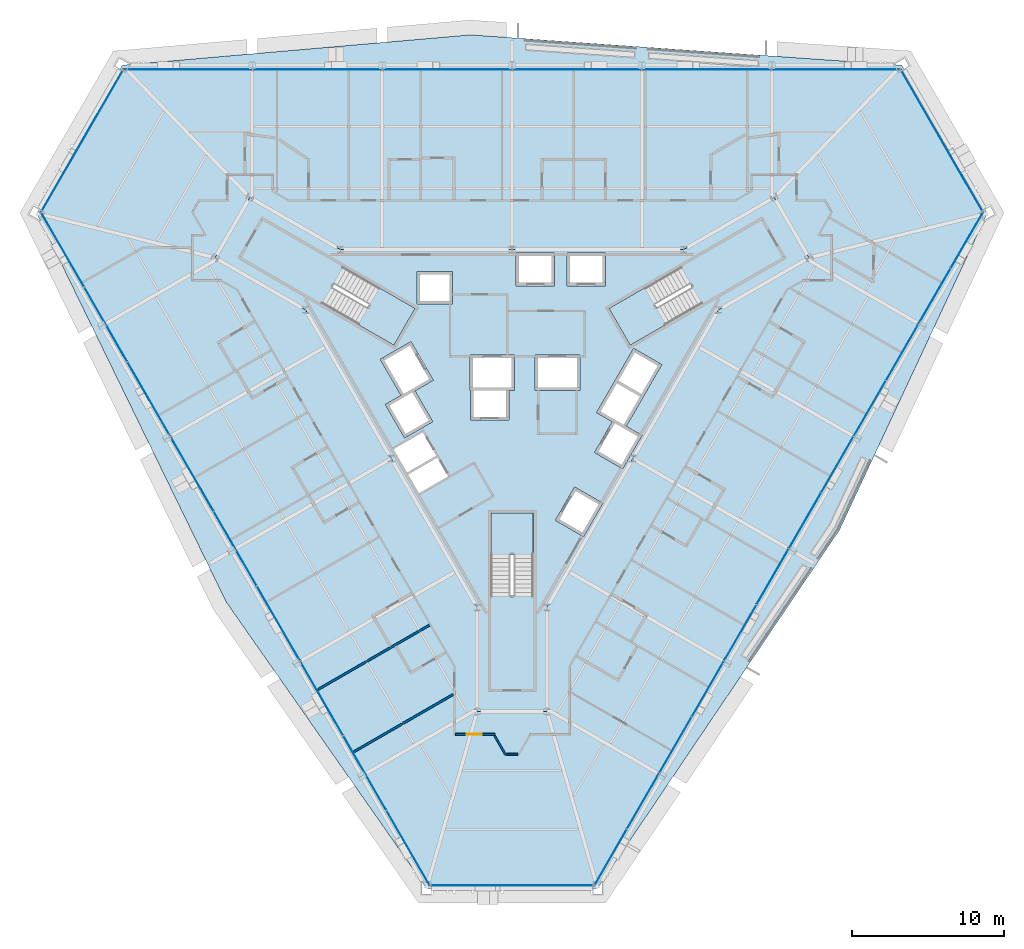
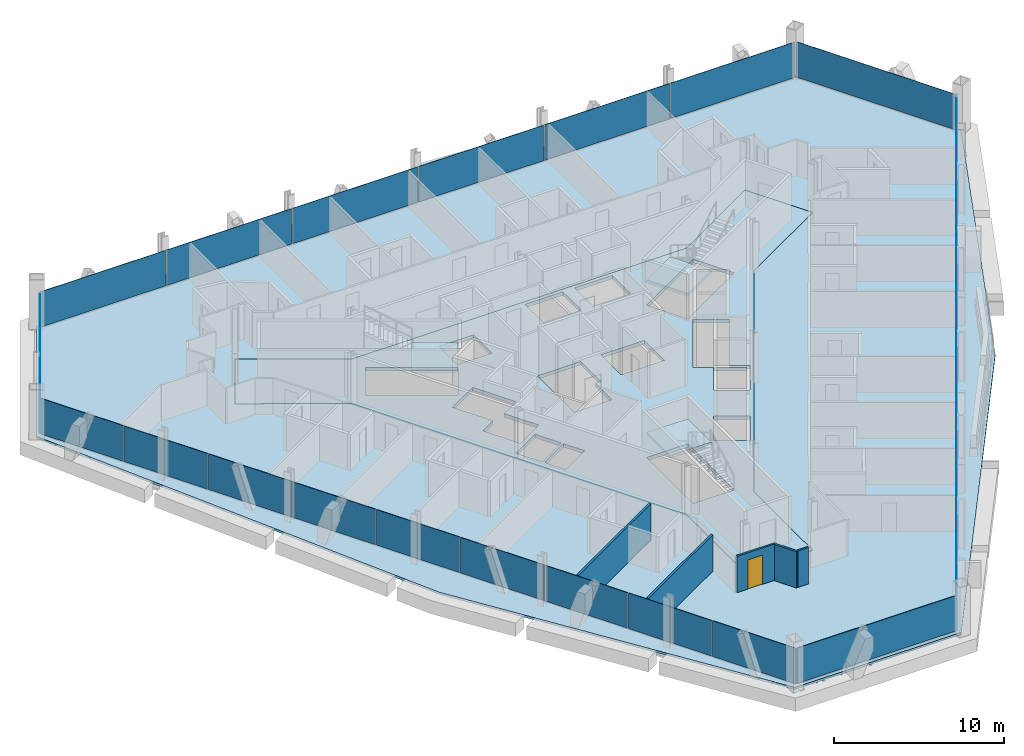
# One storey, part 12 of 20: 30 plates, 5 slabs, 5 walls, 1 door, 1 opening, 9 elements without a shape of their own.
"""IFC4 building model written with IfcOpenShell, lengths in metres."""

from ifc_helpers import new_model, si_unit, direction, frame, frame_2d, origin, origin_2d, place, context, subcontext, project, spatial, polyline, rectangle, outline, extrude, material, layer, layer_set, type_object, element, fill, aggregate, save


model = new_model("IFC4")

# Units and contexts
model_context = context("Model", 3, precision=1e-05, world=origin(), true_north=direction((0.0, 1.0)))
body_context = subcontext(model_context, "Body", "Model", "MODEL_VIEW")
ifc_project = project(units=[si_unit("LENGTHUNIT", "METRE"), si_unit("AREAUNIT", "SQUARE_METRE"), si_unit("VOLUMEUNIT", "CUBIC_METRE"), si_unit("PLANEANGLEUNIT", "RADIAN"), si_unit("MASSUNIT", "GRAM", prefix="KILO")], contexts=[model_context])

# Site, building, storey
site_placement = place(None, origin())
site = spatial("IfcSite", under=ifc_project, at=site_placement, CompositionType="ELEMENT")
building_placement = place(site_placement, origin())
building = spatial("IfcBuilding", under=site, at=building_placement, Name="Verrane Prism Tower", CompositionType="ELEMENT")
storey_placement = place(building_placement, frame((0.0, 0.0, 69.199951171875)))
storey = spatial("IfcBuildingStorey", under=building, at=storey_placement, Name="L15", CompositionType="ELEMENT", Elevation=69.199951171875)

# Slabs
ifc_material_1 = material(Name="Concrete C35/45", Category="concrete")
ifc_layer_1 = layer(ifc_material_1, 0.159912109375)
ifc_layer_set_1 = layer_set([ifc_layer_1], Name="Composite floor slab")
slab_type_1 = type_object("IfcSlabType", Name="Composite floor slab", PredefinedType="FLOOR", material=ifc_layer_set_1)
slab_1_placement = place(storey_placement, frame((0.0, 0.0, -0.159912109375)))
element("IfcSlab", 1, at=slab_1_placement, inside=storey, type_object=slab_type_1, Name="Floor slab L15", PredefinedType="FLOOR", context=body_context, shape_type="SweptSolid", body=[
    extrude(outline(polyline([(21.61083984375, -9.308837890625), (5.64599609375, -32.960693359375), (-5.64599609375, -32.960693359375), (-18.8671875, -14.06103515625), (-31.367919921875, 11.5908203125), (-25.721923828125, 21.3701171875), (-2.74365234375, 23.3701171875), (25.721923828125, 21.3701171875), (31.367919921875, 11.5908203125), (21.61083984375, -9.308837890625)]), holes=[polyline([(19.60009765625, 8.659912109375), (17.300048828125, 12.639892578125), (11.330078125, 9.199951171875), (0.0, 9.199951171875), (-11.330078125, 9.199951171875), (-17.300048828125, 12.639892578125), (-19.60009765625, 8.659912109375), (-13.6298828125, 5.219970703125), (-7.969970703125, -4.60009765625), (-2.300048828125, -14.419921875), (-2.300048828125, -21.300048828125), (2.300048828125, -21.300048828125), (2.300048828125, -14.419921875), (7.969970703125, -4.60009765625), (13.6298828125, 5.219970703125), (19.60009765625, 8.659912109375)])]), origin(), (0.0, 0.0, 1.0), 0.159912109375),
])
ifc_material_2 = material(Name="Concrete C40/50", Category="concrete")
ifc_layer_2 = layer(ifc_material_2, 0.25)
ifc_layer_set_2 = layer_set([ifc_layer_2], Name="Core floor slab 250 concrete C40/50")
slab_type_2 = type_object("IfcSlabType", Name="Core floor slab 250 concrete C40/50", PredefinedType="FLOOR", material=ifc_layer_set_2)
slab_2_placement = place(storey_placement, frame((0.0, 0.0, -0.25)))
element("IfcSlab", 2, at=slab_2_placement, inside=storey, type_object=slab_type_2, Name="Core floor L15", PredefinedType="FLOOR", context=body_context, shape_type="SweptSolid", body=[
    extrude(outline(polyline([(13.6298828125, 5.219970703125), (19.60009765625, 8.659912109375), (17.300048828125, 12.639892578125), (11.330078125, 9.199951171875), (0.0, 9.199951171875), (-11.330078125, 9.199951171875), (-17.300048828125, 12.639892578125), (-19.60009765625, 8.659912109375), (-13.6298828125, 5.219970703125), (-7.969970703125, -4.60009765625), (-2.300048828125, -14.419921875), (-2.300048828125, -21.300048828125), (2.300048828125, -21.300048828125), (2.300048828125, -14.419921875), (7.969970703125, -4.60009765625), (13.6298828125, 5.219970703125)]), holes=[polyline([(1.39990234375, -8.199951171875), (1.39990234375, -13.639892578125), (-1.39990234375, -13.639892578125), (-1.39990234375, -8.199951171875), (1.39990234375, -8.199951171875)]), polyline([(-4.215087890625, -5.77099609375), (-6.14208984375, -6.883056640625), (-6.85400390625, -5.64599609375), (-4.928955078125, -4.533935546875), (-4.215087890625, -5.77099609375)]), polyline([(-5.0029296875, -4.404052734375), (-6.929931640625, -5.51708984375), (-7.819091796875, -3.97705078125), (-5.89306640625, -2.864013671875), (-5.0029296875, -4.404052734375)]), polyline([(0.1650390625, 2.25), (0.1650390625, -0.10009765625), (-0.205078125, -0.10009765625), (-0.205078125, -2.050048828125), (-2.7548828125, -2.050048828125), (-2.7548828125, -0.10009765625), (-2.784912109375, -0.10009765625), (-2.784912109375, 2.25), (0.1650390625, 2.25)]), polyline([(-12.512939453125, 5.60791015625), (-11.113037109375, 8.031982421875), (-6.40087890625, 5.31201171875), (-7.801025390625, 2.887939453125), (-12.512939453125, 5.60791015625)]), polyline([(-6.284912109375, 5.610107421875), (-6.284912109375, 7.760009765625), (-3.93505859375, 7.760009765625), (-3.93505859375, 5.610107421875), (-6.284912109375, 5.610107421875)]), polyline([(4.717041015625, -9.75), (2.85498046875, -8.675048828125), (4.1298828125, -6.466064453125), (5.991943359375, -7.541015625), (4.717041015625, -9.75)]), polyline([(8.303955078125, -3.136962890625), (5.575927734375, -1.56201171875), (8.02587890625, 2.680908203125), (9.887939453125, 1.60595703125), (7.5380859375, -2.464111328125), (8.576904296875, -3.06396484375), (7.302001953125, -5.27197265625), (5.43994140625, -4.197021484375), (6.614990234375, -2.162109375), (8.303955078125, -3.136962890625)]), polyline([(1.52490234375, -0.10009765625), (1.52490234375, 2.25), (4.47509765625, 2.25), (4.47509765625, -0.10009765625), (1.52490234375, -0.10009765625)]), polyline([(6.40087890625, 5.31201171875), (11.113037109375, 8.031982421875), (12.512939453125, 5.60791015625), (7.801025390625, 2.887939453125), (6.40087890625, 5.31201171875)]), polyline([(0.264892578125, 6.81005859375), (0.264892578125, 8.9599609375), (2.81494140625, 8.9599609375), (2.81494140625, 6.81005859375), (0.264892578125, 6.81005859375)]), polyline([(3.625, 6.81005859375), (3.625, 8.9599609375), (6.175048828125, 8.9599609375), (6.175048828125, 6.81005859375), (3.625, 6.81005859375)]), polyline([(-5.23095703125, -2.159912109375), (-7.093017578125, -3.235107421875), (-8.367919921875, -1.02587890625), (-7.3291015625, -0.426025390625), (-8.7041015625, 1.955078125), (-6.66796875, 3.1298828125), (-5.193115234375, 0.574951171875), (-6.406005859375, -0.125), (-5.23095703125, -2.159912109375)])]), origin(), (0.0, 0.0, 1.0), 0.25),
])

# Curtain wall, plates
ifc_material_3 = material(Name="Aluminium framed insulated glazing", Category="aluminium")
curtain_wall_type_1 = type_object("IfcCurtainWallType", Name="Curtain wall CW-C 4200 module", PredefinedType="NOTDEFINED", material=ifc_material_3)
curtain_wall_1_placement = place(storey_placement, origin())
curtain_wall_1 = element("IfcCurtainWall", 3, at=curtain_wall_1_placement, inside=storey, type_object=curtain_wall_type_1, Name="Glazed curtain wall south-east face L15", PredefinedType="NOTDEFINED")
ifc_material_4 = material(Name="Low-iron insulating glass unit", Category="glass")
ifc_layer_3 = layer(ifc_material_4, 0.02392578125)
ifc_layer_set_3 = layer_set([ifc_layer_3], Name="Glazing panel IGU 24")
plate_type_1 = type_object("IfcPlateType", Name="Glazing panel IGU 24", PredefinedType="CURTAIN_PANEL", material=ifc_layer_set_3)
plate_1_placement = place(storey_placement, frame((6.515869140625, -30.896240234375, 0.050048828125), z_axis=(0.0, 0.0, 1.0), x_axis=(0.50000020895, 0.866025283147, 0.0)))
plate_1 = element("IfcPlate", 4, at=plate_1_placement, type_object=plate_type_1, Name="CW14.6 panel 1", PredefinedType="CURTAIN_PANEL", context=body_context, shape_type="SweptSolid", body=[
    extrude(rectangle(XDim=4.19970703125, YDim=0.02392578125, at=origin_2d()), origin(), (0.0, 0.0, 1.0), 2.56298828125),
])
plate_2_placement = place(storey_placement, frame((8.64697265625, -27.204833984375, 0.050048828125), z_axis=(0.0, 0.0, 1.0), x_axis=(0.50000020895, 0.866025283147, 0.0)))
plate_2 = element("IfcPlate", 5, at=plate_2_placement, type_object=plate_type_1, Name="CW14.6 panel 2", PredefinedType="CURTAIN_PANEL", context=body_context, shape_type="SweptSolid", body=[
    extrude(rectangle(XDim=4.224853515625, YDim=0.02392578125, at=origin_2d()), origin(), (0.0, 0.0, 1.0), 2.56298828125),
])
plate_3_placement = place(storey_placement, frame((10.784423828125, -23.502685546875, 0.050048828125), z_axis=(0.0, 0.0, 1.0), x_axis=(0.50000020895, 0.866025283147, 0.0)))
plate_3 = element("IfcPlate", 6, at=plate_3_placement, type_object=plate_type_1, Name="CW14.6 panel 3", PredefinedType="CURTAIN_PANEL", context=body_context, shape_type="SweptSolid", body=[
    extrude(rectangle(XDim=4.224853515625, YDim=0.02392578125, at=origin_2d()), origin(), (0.0, 0.0, 1.0), 2.56298828125),
])
plate_4_placement = place(storey_placement, frame((12.921875, -19.80078125, 0.050048828125), z_axis=(0.0, 0.0, 1.0), x_axis=(0.50000020895, 0.866025283147, 0.0)))
plate_4 = element("IfcPlate", 7, at=plate_4_placement, type_object=plate_type_1, Name="CW14.6 panel 4", PredefinedType="CURTAIN_PANEL", context=body_context, shape_type="SweptSolid", body=[
    extrude(rectangle(XDim=4.224853515625, YDim=0.02392578125, at=origin_2d()), origin(), (0.0, 0.0, 1.0), 2.56298828125),
])
plate_5_placement = place(storey_placement, frame((15.05908203125, -16.0986328125, 0.050048828125), z_axis=(0.0, 0.0, 1.0), x_axis=(0.50000020895, 0.866025283147, 0.0)))
plate_5 = element("IfcPlate", 8, at=plate_5_placement, type_object=plate_type_1, Name="CW14.6 panel 5", PredefinedType="CURTAIN_PANEL", context=body_context, shape_type="SweptSolid", body=[
    extrude(rectangle(XDim=4.224853515625, YDim=0.02392578125, at=origin_2d()), origin(), (0.0, 0.0, 1.0), 2.56298828125),
])
plate_6_placement = place(storey_placement, frame((17.196533203125, -12.396484375, 0.050048828125), z_axis=(0.0, 0.0, 1.0), x_axis=(0.50000020895, 0.866025283147, 0.0)))
plate_6 = element("IfcPlate", 9, at=plate_6_placement, type_object=plate_type_1, Name="CW14.6 panel 6", PredefinedType="CURTAIN_PANEL", context=body_context, shape_type="SweptSolid", body=[
    extrude(rectangle(XDim=4.224853515625, YDim=0.02392578125, at=origin_2d()), origin(), (0.0, 0.0, 1.0), 2.56298828125),
])
plate_7_placement = place(storey_placement, frame((19.333984375, -8.694580078125, 0.050048828125), z_axis=(0.0, 0.0, 1.0), x_axis=(0.50000020895, 0.866025283147, 0.0)))
plate_7 = element("IfcPlate", 10, at=plate_7_placement, type_object=plate_type_1, Name="CW14.6 panel 7", PredefinedType="CURTAIN_PANEL", context=body_context, shape_type="SweptSolid", body=[
    extrude(rectangle(XDim=4.224853515625, YDim=0.02392578125, at=origin_2d()), origin(), (0.0, 0.0, 1.0), 2.56298828125),
])
plate_8_placement = place(storey_placement, frame((21.471435546875, -4.992431640625, 0.050048828125), z_axis=(0.0, 0.0, 1.0), x_axis=(0.50000020895, 0.866025283147, 0.0)))
plate_8 = element("IfcPlate", 11, at=plate_8_placement, type_object=plate_type_1, Name="CW14.6 panel 8", PredefinedType="CURTAIN_PANEL", context=body_context, shape_type="SweptSolid", body=[
    extrude(rectangle(XDim=4.224853515625, YDim=0.02392578125, at=origin_2d()), origin(), (0.0, 0.0, 1.0), 2.56298828125),
])
plate_9_placement = place(storey_placement, frame((23.60888671875, -1.290283203125, 0.050048828125), z_axis=(0.0, 0.0, 1.0), x_axis=(0.50000020895, 0.866025283147, 0.0)))
plate_9 = element("IfcPlate", 12, at=plate_9_placement, type_object=plate_type_1, Name="CW14.6 panel 9", PredefinedType="CURTAIN_PANEL", context=body_context, shape_type="SweptSolid", body=[
    extrude(rectangle(XDim=4.224853515625, YDim=0.02392578125, at=origin_2d()), origin(), (0.0, 0.0, 1.0), 2.56298828125),
])
plate_10_placement = place(storey_placement, frame((25.74609375, 2.411865234375, 0.050048828125), z_axis=(0.0, 0.0, 1.0), x_axis=(0.50000020895, 0.866025283147, 0.0)))
plate_10 = element("IfcPlate", 13, at=plate_10_placement, type_object=plate_type_1, Name="CW14.6 panel 10", PredefinedType="CURTAIN_PANEL", context=body_context, shape_type="SweptSolid", body=[
    extrude(rectangle(XDim=4.224853515625, YDim=0.02392578125, at=origin_2d()), origin(), (0.0, 0.0, 1.0), 2.56298828125),
])
plate_11_placement = place(storey_placement, frame((27.883544921875, 6.11376953125, 0.050048828125), z_axis=(0.0, 0.0, 1.0), x_axis=(0.50000020895, 0.866025283147, 0.0)))
plate_11 = element("IfcPlate", 14, at=plate_11_placement, type_object=plate_type_1, Name="CW14.6 panel 11", PredefinedType="CURTAIN_PANEL", context=body_context, shape_type="SweptSolid", body=[
    extrude(rectangle(XDim=4.224853515625, YDim=0.02392578125, at=origin_2d()), origin(), (0.0, 0.0, 1.0), 2.56298828125),
])
plate_12_placement = place(storey_placement, frame((30.02734375, 9.826904296875, 0.050048828125), z_axis=(0.0, 0.0, 1.0), x_axis=(0.50000020895, 0.866025283147, 0.0)))
plate_12 = element("IfcPlate", 15, at=plate_12_placement, type_object=plate_type_1, Name="CW14.6 panel 12", PredefinedType="CURTAIN_PANEL", context=body_context, shape_type="SweptSolid", body=[
    extrude(rectangle(XDim=4.249755859375, YDim=0.02392578125, at=origin_2d()), origin(), (0.0, 0.0, 1.0), 2.56298828125),
])
aggregate(curtain_wall_1, [plate_1, plate_2, plate_3, plate_4, plate_5, plate_6, plate_7, plate_8, plate_9, plate_10, plate_11, plate_12])

ifc_material_5 = material(Name="Aluminium framed insulated glazing", Category="aluminium")
curtain_wall_type_2 = type_object("IfcCurtainWallType", Name="Curtain wall CW-B 5600 module", PredefinedType="NOTDEFINED", material=ifc_material_5)
curtain_wall_2_placement = place(storey_placement, origin())
curtain_wall_2 = element("IfcCurtainWall", 16, at=curtain_wall_2_placement, inside=storey, type_object=curtain_wall_type_2, Name="Glazed curtain wall south-west face L15", PredefinedType="NOTDEFINED")
ifc_material_6 = material(Name="Low-iron insulating glass unit", Category="glass")
ifc_layer_4 = layer(ifc_material_6, 0.028076171875)
ifc_layer_set_4 = layer_set([ifc_layer_4], Name="Glazing panel IGU 28")
plate_type_2 = type_object("IfcPlateType", Name="Glazing panel IGU 28", PredefinedType="CURTAIN_PANEL", material=ifc_layer_set_4)
plate_13_placement = place(storey_placement, frame((-29.6572265625, 9.18603515625, 0.06005859375), z_axis=(0.0, 0.0, 1.0), x_axis=(0.50000020895, -0.866025283147, 0.0)))
plate_13 = element("IfcPlate", 17, at=plate_13_placement, type_object=plate_type_2, Name="CW14.4 panel 1", PredefinedType="CURTAIN_PANEL", context=body_context, shape_type="SweptSolid", body=[
    extrude(rectangle(XDim=5.609619140625, YDim=0.028076171875, at=origin_2d()), origin(), (0.0, 0.0, 1.0), 2.552978515625),
])
plate_14_placement = place(storey_placement, frame((-26.81494140625, 4.262939453125, 0.06005859375), z_axis=(0.0, 0.0, 1.0), x_axis=(0.50000020895, -0.866025283147, 0.0)))
plate_14 = element("IfcPlate", 18, at=plate_14_placement, type_object=plate_type_2, Name="CW14.4 panel 2", PredefinedType="CURTAIN_PANEL", context=body_context, shape_type="SweptSolid", body=[
    extrude(rectangle(XDim=5.6396484375, YDim=0.028076171875, at=origin_2d()), origin(), (0.0, 0.0, 1.0), 2.552978515625),
])
plate_15_placement = place(storey_placement, frame((-23.965087890625, -0.67333984375, 0.06005859375), z_axis=(0.0, 0.0, 1.0), x_axis=(0.50000020895, -0.866025283147, 0.0)))
plate_15 = element("IfcPlate", 19, at=plate_15_placement, type_object=plate_type_2, Name="CW14.4 panel 3", PredefinedType="CURTAIN_PANEL", context=body_context, shape_type="SweptSolid", body=[
    extrude(rectangle(XDim=5.6396484375, YDim=0.028076171875, at=origin_2d()), origin(), (0.0, 0.0, 1.0), 2.552978515625),
])
plate_16_placement = place(storey_placement, frame((-21.115234375, -5.609375, 0.06005859375), z_axis=(0.0, 0.0, 1.0), x_axis=(0.50000020895, -0.866025283147, 0.0)))
plate_16 = element("IfcPlate", 20, at=plate_16_placement, type_object=plate_type_2, Name="CW14.4 panel 4", PredefinedType="CURTAIN_PANEL", context=body_context, shape_type="SweptSolid", body=[
    extrude(rectangle(XDim=5.6396484375, YDim=0.028076171875, at=origin_2d()), origin(), (0.0, 0.0, 1.0), 2.552978515625),
])
plate_17_placement = place(storey_placement, frame((-18.265380859375, -10.54541015625, 0.06005859375), z_axis=(0.0, 0.0, 1.0), x_axis=(0.50000020895, -0.866025283147, 0.0)))
plate_17 = element("IfcPlate", 21, at=plate_17_placement, type_object=plate_type_2, Name="CW14.4 panel 5", PredefinedType="CURTAIN_PANEL", context=body_context, shape_type="SweptSolid", body=[
    extrude(rectangle(XDim=5.6396484375, YDim=0.028076171875, at=origin_2d()), origin(), (0.0, 0.0, 1.0), 2.552978515625),
])
plate_18_placement = place(storey_placement, frame((-15.41552734375, -15.481689453125, 0.06005859375), z_axis=(0.0, 0.0, 1.0), x_axis=(0.50000020895, -0.866025283147, 0.0)))
plate_18 = element("IfcPlate", 22, at=plate_18_placement, type_object=plate_type_2, Name="CW14.4 panel 6", PredefinedType="CURTAIN_PANEL", context=body_context, shape_type="SweptSolid", body=[
    extrude(rectangle(XDim=5.6396484375, YDim=0.028076171875, at=origin_2d()), origin(), (0.0, 0.0, 1.0), 2.552978515625),
])
plate_19_placement = place(storey_placement, frame((-12.565673828125, -20.417724609375, 0.06005859375), z_axis=(0.0, 0.0, 1.0), x_axis=(0.50000020895, -0.866025283147, 0.0)))
plate_19 = element("IfcPlate", 23, at=plate_19_placement, type_object=plate_type_2, Name="CW14.4 panel 7", PredefinedType="CURTAIN_PANEL", context=body_context, shape_type="SweptSolid", body=[
    extrude(rectangle(XDim=5.6396484375, YDim=0.028076171875, at=origin_2d()), origin(), (0.0, 0.0, 1.0), 2.552978515625),
])
plate_20_placement = place(storey_placement, frame((-9.7158203125, -25.353759765625, 0.06005859375), z_axis=(0.0, 0.0, 1.0), x_axis=(0.50000020895, -0.866025283147, 0.0)))
plate_20 = element("IfcPlate", 24, at=plate_20_placement, type_object=plate_type_2, Name="CW14.4 panel 8", PredefinedType="CURTAIN_PANEL", context=body_context, shape_type="SweptSolid", body=[
    extrude(rectangle(XDim=5.6396484375, YDim=0.028076171875, at=origin_2d()), origin(), (0.0, 0.0, 1.0), 2.552978515625),
])
plate_21_placement = place(storey_placement, frame((-6.8583984375, -30.302978515625, 0.06005859375), z_axis=(0.0, 0.0, 1.0), x_axis=(0.50000020895, -0.866025283147, 0.0)))
plate_21 = element("IfcPlate", 25, at=plate_21_placement, type_object=plate_type_2, Name="CW14.4 panel 9", PredefinedType="CURTAIN_PANEL", context=body_context, shape_type="SweptSolid", body=[
    extrude(rectangle(XDim=5.669677734375, YDim=0.028076171875, at=origin_2d()), origin(), (0.0, 0.0, 1.0), 2.552978515625),
])
aggregate(curtain_wall_2, [plate_13, plate_14, plate_15, plate_16, plate_17, plate_18, plate_19, plate_20, plate_21])

# Curtain wall, plate
ifc_material_7 = material(Name="Aluminium framed insulated glazing", Category="aluminium")
curtain_wall_type_3 = type_object("IfcCurtainWallType", Name="Curtain wall CW-A 8400 module", PredefinedType="NOTDEFINED", material=ifc_material_7)
curtain_wall_3_placement = place(storey_placement, origin())
curtain_wall_3 = element("IfcCurtainWall", 26, at=curtain_wall_3_placement, inside=storey, type_object=curtain_wall_type_3, Name="Glazed curtain wall north-east corner L15", PredefinedType="NOTDEFINED")
ifc_material_8 = material(Name="Low-iron insulating glass unit", Category="glass")
ifc_layer_5 = layer(ifc_material_8, 0.031982421875)
ifc_layer_set_5 = layer_set([ifc_layer_5], Name="Glazing panel IGU 32")
plate_type_3 = type_object("IfcPlateType", Name="Glazing panel IGU 32", PredefinedType="CURTAIN_PANEL", material=ifc_layer_set_5)
plate_22_placement = place(storey_placement, frame((28.351806640625, 16.409423828125, 0.070068359375), z_axis=(0.0, 0.0, 1.0), x_axis=(-0.499996627176, 0.866027351077, 0.0)))
plate_22 = element("IfcPlate", 27, at=plate_22_placement, type_object=plate_type_3, Name="CW14.1 panel 1", PredefinedType="CURTAIN_PANEL", context=body_context, shape_type="SweptSolid", body=[
    extrude(rectangle(XDim=10.811767578125, YDim=0.031982421875, at=origin_2d()), origin(), (0.0, 0.0, 1.0), 2.54296875),
])
aggregate(curtain_wall_3, [plate_22])

# Curtain wall, plates
curtain_wall_4_placement = place(storey_placement, origin())
curtain_wall_4 = element("IfcCurtainWall", 28, at=curtain_wall_4_placement, inside=storey, type_object=curtain_wall_type_3, Name="Glazed curtain wall north face L15", PredefinedType="NOTDEFINED")
plate_23_placement = place(storey_placement, frame((21.3564453125, 21.091064453125, 0.070068359375), z_axis=(0.0, 0.0, 1.0), x_axis=(-1.0, 0.0, 0.0)))
plate_23 = element("IfcPlate", 29, at=plate_23_placement, type_object=plate_type_3, Name="CW14.2 panel 1", PredefinedType="CURTAIN_PANEL", context=body_context, shape_type="SweptSolid", body=[
    extrude(rectangle(XDim=8.444580078125, YDim=0.031982421875, at=origin_2d()), origin(), (0.0, 0.0, 1.0), 2.54296875),
])
plate_24_placement = place(storey_placement, frame((12.824462890625, 21.091064453125, 0.070068359375), z_axis=(0.0, 0.0, 1.0), x_axis=(-1.0, 0.0, 0.0)))
plate_24 = element("IfcPlate", 30, at=plate_24_placement, type_object=plate_type_3, Name="CW14.2 panel 2", PredefinedType="CURTAIN_PANEL", context=body_context, shape_type="SweptSolid", body=[
    extrude(rectangle(XDim=8.4794921875, YDim=0.031982421875, at=origin_2d()), origin(), (0.0, 0.0, 1.0), 2.54296875),
])
plate_25_placement = place(storey_placement, frame((4.27490234375, 21.091064453125, 0.070068359375), z_axis=(0.0, 0.0, 1.0), x_axis=(-1.0, 0.0, 0.0)))
plate_25 = element("IfcPlate", 31, at=plate_25_placement, type_object=plate_type_3, Name="CW14.2 panel 3", PredefinedType="CURTAIN_PANEL", context=body_context, shape_type="SweptSolid", body=[
    extrude(rectangle(XDim=8.4794921875, YDim=0.031982421875, at=origin_2d()), origin(), (0.0, 0.0, 1.0), 2.54296875),
])
plate_26_placement = place(storey_placement, frame((-4.27490234375, 21.091064453125, 0.070068359375), z_axis=(0.0, 0.0, 1.0), x_axis=(-1.0, 0.0, 0.0)))
plate_26 = element("IfcPlate", 32, at=plate_26_placement, type_object=plate_type_3, Name="CW14.2 panel 4", PredefinedType="CURTAIN_PANEL", context=body_context, shape_type="SweptSolid", body=[
    extrude(rectangle(XDim=8.4794921875, YDim=0.031982421875, at=origin_2d()), origin(), (0.0, 0.0, 1.0), 2.54296875),
])
plate_27_placement = place(storey_placement, frame((-12.824462890625, 21.091064453125, 0.070068359375), z_axis=(0.0, 0.0, 1.0), x_axis=(-1.0, 0.0, 0.0)))
plate_27 = element("IfcPlate", 33, at=plate_27_placement, type_object=plate_type_3, Name="CW14.2 panel 5", PredefinedType="CURTAIN_PANEL", context=body_context, shape_type="SweptSolid", body=[
    extrude(rectangle(XDim=8.4794921875, YDim=0.031982421875, at=origin_2d()), origin(), (0.0, 0.0, 1.0), 2.54296875),
])
plate_28_placement = place(storey_placement, frame((-21.3916015625, 21.091064453125, 0.070068359375), z_axis=(0.0, 0.0, 1.0), x_axis=(-1.0, 0.0, 0.0)))
plate_28 = element("IfcPlate", 34, at=plate_28_placement, type_object=plate_type_3, Name="CW14.2 panel 6", PredefinedType="CURTAIN_PANEL", context=body_context, shape_type="SweptSolid", body=[
    extrude(rectangle(XDim=8.5146484375, YDim=0.031982421875, at=origin_2d()), origin(), (0.0, 0.0, 1.0), 2.54296875),
])
aggregate(curtain_wall_4, [plate_23, plate_24, plate_25, plate_26, plate_27, plate_28])

# Curtain wall, plate
curtain_wall_5_placement = place(storey_placement, origin())
curtain_wall_5 = element("IfcCurtainWall", 35, at=curtain_wall_5_placement, inside=storey, type_object=curtain_wall_type_3, Name="Glazed curtain wall north-west corner L15", PredefinedType="NOTDEFINED")
plate_29_placement = place(storey_placement, frame((-28.38671875, 16.3486328125, 0.070068359375), z_axis=(0.0, 0.0, 1.0), x_axis=(-0.499996627176, -0.866027351077, 0.0)))
plate_29 = element("IfcPlate", 36, at=plate_29_placement, type_object=plate_type_3, Name="CW14.3 panel 1", PredefinedType="CURTAIN_PANEL", context=body_context, shape_type="SweptSolid", body=[
    extrude(rectangle(XDim=10.811767578125, YDim=0.031982421875, at=origin_2d()), origin(), (0.0, 0.0, 1.0), 2.54296875),
])
aggregate(curtain_wall_5, [plate_29])

curtain_wall_6_placement = place(storey_placement, origin())
curtain_wall_6 = element("IfcCurtainWall", 37, at=curtain_wall_6_placement, inside=storey, type_object=curtain_wall_type_3, Name="Glazed curtain wall south corner L15", PredefinedType="NOTDEFINED")
plate_30_placement = place(storey_placement, frame((0.034912109375, -32.758056640625, 0.070068359375), z_axis=(0.0, 0.0, 1.0), x_axis=(1.0, 0.0, 0.0)))
plate_30 = element("IfcPlate", 38, at=plate_30_placement, type_object=plate_type_3, Name="CW14.5 panel 1", PredefinedType="CURTAIN_PANEL", context=body_context, shape_type="SweptSolid", body=[
    extrude(rectangle(XDim=10.811767578125, YDim=0.031982421875, at=origin_2d()), origin(), (0.0, 0.0, 1.0), 2.54296875),
])
aggregate(curtain_wall_6, [plate_30])

# Stair, slab
ifc_material_9 = material(Name="Concrete C40/50", Category="concrete")
stair_type = type_object("IfcStairType", Name="Exit stair 1300 dog-leg precast concrete C40/50", PredefinedType="HALF_TURN_STAIR", material=ifc_material_9)
stair_1_placement = place(storey_placement, origin())
stair_1 = element("IfcStair", 39, at=stair_1_placement, inside=storey, type_object=stair_type, Name="Stair 1 L15", PredefinedType="HALF_TURN_STAIR")
ifc_material_10 = material(Name="Concrete C40/50", Category="concrete")
ifc_layer_6 = layer(ifc_material_10, 0.199951171875)
ifc_layer_set_6 = layer_set([ifc_layer_6], Name="Stair landing 200 precast concrete C40/50")
slab_type_3 = type_object("IfcSlabType", Name="Stair landing 200 precast concrete C40/50", PredefinedType="LANDING", material=ifc_layer_set_6)
slab_3_placement = place(storey_placement, frame((0.0, 0.0, 1.60009765625)))
slab_3 = element("IfcSlab", 40, at=slab_3_placement, type_object=slab_type_3, Name="Stair 1 landing 1", PredefinedType="LANDING", context=body_context, shape_type="SweptSolid", body=[
    extrude(outline(polyline([(8.791748046875, 6.6923828125), (6.4013671875, 5.3125), (7.801513671875, 2.887451171875), (10.191650390625, 4.267578125), (8.791748046875, 6.6923828125)])), origin(), (0.0, 0.0, 1.0), 0.199951171875),
])
aggregate(stair_1, [slab_3])

stair_2_placement = place(storey_placement, origin())
stair_2 = element("IfcStair", 41, at=stair_2_placement, inside=storey, type_object=stair_type, Name="Stair 2 L15", PredefinedType="HALF_TURN_STAIR")
slab_4_placement = place(storey_placement, frame((0.0, 0.0, 1.60009765625)))
slab_4 = element("IfcSlab", 42, at=slab_4_placement, type_object=slab_type_3, Name="Stair 2 landing 1", PredefinedType="LANDING", context=body_context, shape_type="SweptSolid", body=[
    extrude(outline(polyline([(-10.191650390625, 4.267578125), (-7.801513671875, 2.887451171875), (-6.4013671875, 5.3125), (-8.791748046875, 6.6923828125), (-10.191650390625, 4.267578125)])), origin(), (0.0, 0.0, 1.0), 0.199951171875),
])
aggregate(stair_2, [slab_4])

stair_3_placement = place(storey_placement, origin())
stair_3 = element("IfcStair", 43, at=stair_3_placement, inside=storey, type_object=stair_type, Name="Stair 3 L15", PredefinedType="HALF_TURN_STAIR")
slab_5_placement = place(storey_placement, frame((0.0, 0.0, 1.60009765625)))
slab_5 = element("IfcSlab", 44, at=slab_5_placement, type_object=slab_type_3, Name="Stair 3 landing 1", PredefinedType="LANDING", context=body_context, shape_type="SweptSolid", body=[
    extrude(outline(polyline([(1.39990234375, -10.9599609375), (1.39990234375, -8.199951171875), (-1.39990234375, -8.199951171875), (-1.39990234375, -10.9599609375), (1.39990234375, -10.9599609375)])), origin(), (0.0, 0.0, 1.0), 0.199951171875),
])
aggregate(stair_3, [slab_5])

# Wall, opening, door
ifc_material_11 = material(Name="Gypsum board partition", Category="other")
ifc_layer_7 = layer(ifc_material_11, 0.125)
ifc_layer_set_7 = layer_set([ifc_layer_7], Name="PW-125 corridor wall 1 h")
wall_type_1 = type_object("IfcWallType", Name="PW-125 corridor wall 1 h", PredefinedType="PARTITIONING", material=ifc_layer_set_7)
wall_1_placement = place(storey_placement, frame((-1.140380859375, -22.797119140625, 0.0), z_axis=(0.0, 0.0, 1.0), x_axis=(-1.0, 0.0, 0.0)))
wall_1 = element("IfcWall", 45, at=wall_1_placement, inside=storey, type_object=wall_type_1, Name="Corridor wall 046", PredefinedType="PARTITIONING", context=body_context, shape_type="SweptSolid", body=[
    extrude(rectangle(XDim=2.591552734375, YDim=0.125, at=frame_2d((1.2958984375, 0.0))), origin(), (0.0, 0.0, 1.0), 2.613037109375),
])
opening_placement = place(wall_1_placement, frame((0.8564453125, 0.0, 0.0)))
opening = element("IfcOpeningElement", 46, at=opening_placement, cuts=wall_1, Name="Opening D14001", PredefinedType="OPENING", context=body_context, shape_type="SweptSolid", body=[
    extrude(rectangle(XDim=1.0, YDim=2.10009765625, at=frame_2d((0.5, 1.050048828125))), frame((0.0, 0.072509765625, 0.0), z_axis=(0.0, -1.0, 0.0), x_axis=(1.0, 0.0, 0.0)), (0.0, 0.0, 1.0), 0.14501953125),
])
ifc_material_12 = material(Name="Timber veneered door leaf", Category="wood")
door_type = type_object("IfcDoorType", Name="DR-1000x2100 FD20 single leaf unit", OperationType="NOTDEFINED", PredefinedType="DOOR", material=ifc_material_12)
door_placement = place(opening_placement, origin())
door = element("IfcDoor", 47, at=door_placement, inside=storey, type_object=door_type, Name="Suite Living Room door", OperationType="SINGLE_SWING_RIGHT", OverallHeight=2.10009765625, OverallWidth=1.0, PredefinedType="DOOR", context=body_context, shape_type="SweptSolid", body=[
    extrude(rectangle(XDim=1.0, YDim=2.10009765625, at=frame_2d((0.5, 1.050048828125))), frame((0.0, 0.02490234375, 0.0), z_axis=(0.0, -1.0, 0.0), x_axis=(1.0, 0.0, 0.0)), (0.0, 0.0, 1.0), 0.050048828125),
])
fill(opening, door)

# Walls
wall_2_placement = place(storey_placement, frame((-1.16064453125, -22.87060546875, 0.0), z_axis=(0.0, 0.0, 1.0), x_axis=(0.499609040113, -0.866251006947, 0.0)))
element("IfcWall", 48, at=wall_2_placement, inside=storey, type_object=wall_type_1, Name="Corridor wall 047", PredefinedType="PARTITIONING", context=body_context, shape_type="SweptSolid", body=[
    extrude(rectangle(XDim=1.490966796875, YDim=0.125, at=frame_2d((0.74560546875, 0.0))), origin(), (0.0, 0.0, 1.0), 2.613037109375),
])
wall_3_placement = place(storey_placement, frame((-0.362060546875, -24.10791015625, 0.0), z_axis=(0.0, 0.0, 1.0), x_axis=(1.0, 0.0, 0.0)))
element("IfcWall", 49, at=wall_3_placement, inside=storey, type_object=wall_type_1, Name="Corridor wall 049", PredefinedType="PARTITIONING", context=body_context, shape_type="SweptSolid", body=[
    extrude(rectangle(XDim=0.72412109375, YDim=0.125, at=frame_2d((0.362060546875, 0.0))), origin(), (0.0, 0.0, 1.0), 2.613037109375),
])
ifc_material_13 = material(Name="Gypsum board partition", Category="other")
ifc_layer_8 = layer(ifc_material_13, 0.14990234375)
ifc_layer_set_8 = layer_set([ifc_layer_8], Name="PW-150 demising wall 1 h")
wall_type_2 = type_object("IfcWallType", Name="PW-150 demising wall 1 h", PredefinedType="PARTITIONING", material=ifc_layer_set_8)
wall_4_placement = place(storey_placement, frame((-12.794189453125, -19.8291015625, 0.0), z_axis=(0.0, 0.0, 1.0), x_axis=(0.866024716685, 0.500001190089, 0.0)))
element("IfcWall", 50, at=wall_4_placement, inside=storey, type_object=wall_type_2, Name="Demising wall 032", PredefinedType="PARTITIONING", context=body_context, shape_type="SweptSolid", body=[
    extrude(rectangle(XDim=8.49169921875, YDim=0.14990234375, at=frame_2d((4.245849609375, 0.0))), origin(), (0.0, 0.0, 1.0), 2.613037109375),
])
wall_5_placement = place(storey_placement, frame((-10.422607421875, -23.93701171875, 0.0), z_axis=(0.0, 0.0, 1.0), x_axis=(0.866039368072, 0.499975812365, 0.0)))
element("IfcWall", 51, at=wall_5_placement, inside=storey, type_object=wall_type_2, Name="Demising wall 035", PredefinedType="PARTITIONING", context=body_context, shape_type="SweptSolid", body=[
    extrude(rectangle(XDim=7.534912109375, YDim=0.14990234375, at=frame_2d((3.767578125, 0.0))), origin(), (0.0, 0.0, 1.0), 2.613037109375),
])

save(model, "model.ifc")
